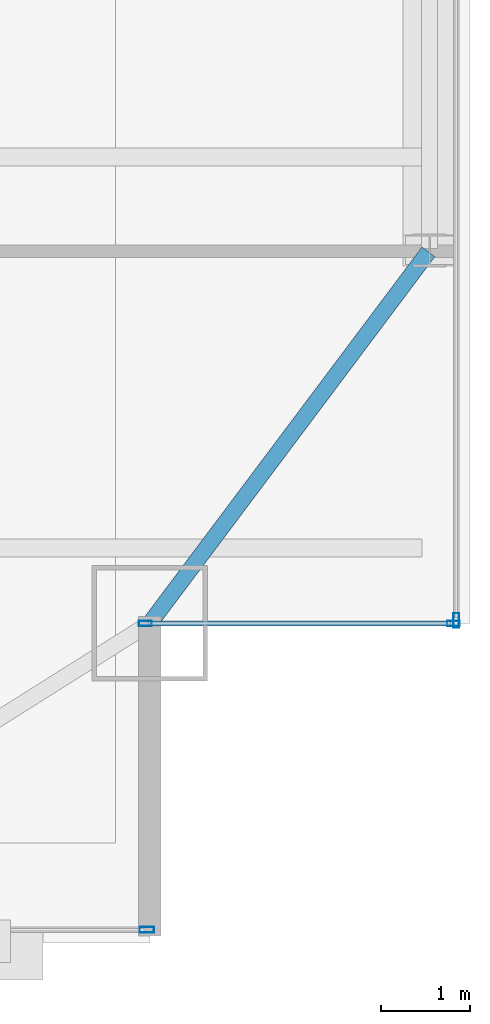
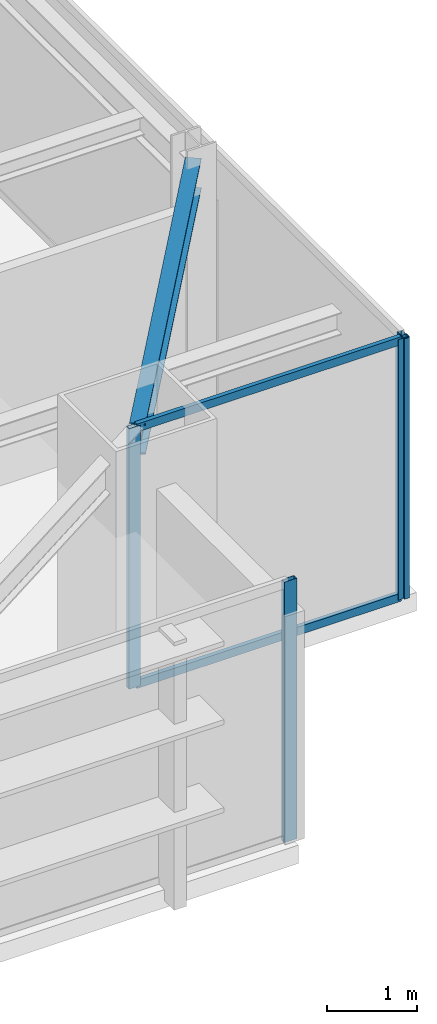
# One storey, part 15 of 30: 6 members, 1 beam, 3 elements without a shape of their own.
"""IFC4 building model written with IfcOpenShell, lengths in metres."""

from ifc_helpers import new_model, si_unit, direction, frame, origin, origin_2d, place, context, subcontext, project, spatial, hollow_rectangle, i_section, extrude, source, transform, mapped, material, layer, layer_set, material_profile, profile_set, type_object, type_shapes, element, aggregate, save


model = new_model("IFC4")

# Units and contexts
model_context = context("Model", 3, precision=1e-05, world=origin(), true_north=direction((0.0, 1.0)))
body_context = subcontext(model_context, "Body", "Model", "MODEL_VIEW")
ifc_project = project(units=[si_unit("LENGTHUNIT", "METRE"), si_unit("AREAUNIT", "SQUARE_METRE"), si_unit("VOLUMEUNIT", "CUBIC_METRE"), si_unit("PLANEANGLEUNIT", "RADIAN"), si_unit("MASSUNIT", "GRAM", prefix="KILO")], contexts=[model_context])

# Site, building, storey
site_placement = place(None, origin())
site = spatial("IfcSite", under=ifc_project, at=site_placement, CompositionType="ELEMENT")
building_placement = place(site_placement, origin())
building = spatial("IfcBuilding", under=site, at=building_placement, Name="Varnel Quay Broadcast Tower", CompositionType="ELEMENT")
storey_placement = place(building_placement, frame((0.0, 0.0, 180.0)))
storey = spatial("IfcBuildingStorey", under=building, at=storey_placement, Name="L44", CompositionType="ELEMENT", Elevation=180.0)

# Beam
ifc_material_1 = material(Name="Structural Steel CSA G40.21 350W", Category="steel")
ifc_material_profile_1 = material_profile(ifc_material_1, i_section(OverallWidth=0.180908203125, OverallDepth=0.4169921875, WebThickness=0.010986328125, FlangeThickness=0.018310546875, FilletRadius=0.011962890625, at=origin_2d()), Name="W410X85")
ifc_profile_set_1 = profile_set([ifc_material_profile_1], Name="Structural Steel CSA G40.21 350W")
beam_type = type_object("IfcBeamType", Name="Beam_W410X85", PredefinedType="SPANDREL", material=ifc_profile_set_1)
shared_shape_1 = source(origin(), body_context, "Body", "SweptSolid", [
    extrude(i_section(OverallWidth=0.180908203125, OverallDepth=0.4169921875, WebThickness=0.010986328125, FlangeThickness=0.018310546875, FilletRadius=0.011962890625, at=origin_2d()), origin(), (0.0, 0.0, 1.0), 5.2099609375),
])
type_shapes(beam_type, [shared_shape_1])
beam_placement = place(storey_placement, frame((57.412109375, 10.81591796875, 3.341552734375), z_axis=(0.6, 0.8, 0.0), x_axis=(-0.8, 0.6, 0.0)))
element("IfcBeam", 1, at=beam_placement, inside=storey, type_object=beam_type, Name="L44 East Spandrel MC-SE-TC-E1", PredefinedType="SPANDREL", context=body_context, shape_type="MappedRepresentation", body=[
    mapped(shared_shape_1, transform((0.0, 0.0, 0.0), x_axis=(1.0, 0.0, 0.0), y_axis=(0.0, 1.0, 0.0), z_axis=(0.0, 0.0, 1.0), scale=1.0)),
])

# Curtain wall, members
ifc_material_2 = material(Name="Anodised Bronze Aluminium 6063-T6", Category="aluminium")
ifc_layer_1 = layer(ifc_material_2, 0.18994140625, Name="Anodised Bronze Aluminium 6063-T6")
ifc_layer_set_1 = layer_set([ifc_layer_1], Name="Anodised Bronze Aluminium 6063-T6")
curtain_wall_type_1 = type_object("IfcCurtainWallType", Name="CW_NotchCorner", PredefinedType="NOTDEFINED", material=ifc_layer_set_1)
curtain_wall_1_placement = place(storey_placement, origin())
curtain_wall_1 = element("IfcCurtainWall", 2, at=curtain_wall_1_placement, inside=storey, type_object=curtain_wall_type_1, Name="L44 SE Notch Curtain Wall", PredefinedType="NOTDEFINED")
ifc_material_profile_2 = material_profile(ifc_material_2, hollow_rectangle(XDim=0.054931640625, YDim=0.110107421875, WallThickness=0.0029296875, at=origin_2d()), Name="ALU55X110X3")
ifc_profile_set_2 = profile_set([ifc_material_profile_2], Name="Anodised Bronze Aluminium 6063-T6")
member_type_1 = type_object("IfcMemberType", Name="Tran_CWS-04", PredefinedType="USERDEFINED", material=ifc_profile_set_2)
shared_shape_2 = source(origin(), body_context, "Body", "SweptSolid", [
    extrude(hollow_rectangle(XDim=0.054931640625, YDim=0.110107421875, WallThickness=0.0029296875, at=origin_2d()), origin(), (0.0, 0.0, 1.0), 3.41015625),
])
type_shapes(member_type_1, [shared_shape_2])
member_1_placement = place(storey_placement, frame((57.3798828125, 10.800048828125, 0.027587890625), z_axis=(1.0, 0.0, 0.0), x_axis=(0.0, 1.0, 0.0)))
member_1 = element("IfcMember", 3, at=member_1_placement, type_object=member_type_1, Name="CWS-04 transom 1.1", ObjectType="TRANSOM", PredefinedType="USERDEFINED", context=body_context, shape_type="MappedRepresentation", body=[
    mapped(shared_shape_2, transform((0.0, 0.0, 0.0), x_axis=(1.0, 0.0, 0.0), y_axis=(0.0, 1.0, 0.0), z_axis=(0.0, 0.0, 1.0), scale=1.0)),
])
member_2_placement = place(storey_placement, frame((57.3798828125, 10.800048828125, 3.5224609375), z_axis=(1.0, 0.0, 0.0), x_axis=(0.0, 1.0, 0.0)))
member_2 = element("IfcMember", 4, at=member_2_placement, type_object=member_type_1, Name="CWS-04 transom 1.2", ObjectType="TRANSOM", PredefinedType="USERDEFINED", context=body_context, shape_type="MappedRepresentation", body=[
    mapped(shared_shape_2, transform((0.0, 0.0, 0.0), x_axis=(1.0, 0.0, 0.0), y_axis=(0.0, 1.0, 0.0), z_axis=(0.0, 0.0, 1.0), scale=1.0)),
])
ifc_material_profile_3 = material_profile(ifc_material_2, hollow_rectangle(XDim=0.06005859375, YDim=0.14501953125, WallThickness=0.00341796875, at=origin_2d()), Name="ALU60X145X3.5")
ifc_profile_set_3 = profile_set([ifc_material_profile_3], Name="Anodised Bronze Aluminium 6063-T6")
member_type_2 = type_object("IfcMemberType", Name="Mull_CWS-04", PredefinedType="MULLION", material=ifc_profile_set_3)
shared_shape_3 = source(origin(), body_context, "Body", "SweptSolid", [
    extrude(hollow_rectangle(XDim=0.06005859375, YDim=0.14501953125, WallThickness=0.00341796875, at=origin_2d()), origin(), (0.0, 0.0, 1.0), 3.550048828125),
])
type_shapes(member_type_2, [shared_shape_3])
member_3_placement = place(storey_placement, frame((57.35009765625, 10.800048828125, 0.0), z_axis=(0.0, 0.0, 1.0), x_axis=(0.0, 1.0, 0.0)))
member_3 = element("IfcMember", 5, at=member_3_placement, type_object=member_type_2, Name="CWS-04 mullion 1", PredefinedType="MULLION", context=body_context, shape_type="MappedRepresentation", body=[
    mapped(shared_shape_3, transform((0.0, 0.0, 0.0), x_axis=(1.0, 0.0, 0.0), y_axis=(0.0, 1.0, 0.0), z_axis=(0.0, 0.0, 1.0), scale=1.0)),
])
member_4_placement = place(storey_placement, frame((60.820068359375, 10.800048828125, 0.0), z_axis=(0.0, 0.0, 1.0), x_axis=(0.0, 1.0, 0.0)))
member_4 = element("IfcMember", 6, at=member_4_placement, type_object=member_type_2, Name="CWS-04 mullion 2", PredefinedType="MULLION", context=body_context, shape_type="MappedRepresentation", body=[
    mapped(shared_shape_3, transform((0.0, 0.0, 0.0), x_axis=(1.0, 0.0, 0.0), y_axis=(0.0, 1.0, 0.0), z_axis=(0.0, 0.0, 1.0), scale=1.0)),
])
aggregate(curtain_wall_1, [member_3, member_4, member_1, member_2])

# Curtain wall, member
ifc_layer_2 = layer(ifc_material_2, 0.18994140625, Name="Anodised Bronze Aluminium 6063-T6")
ifc_layer_set_2 = layer_set([ifc_layer_2], Name="Anodised Bronze Aluminium 6063-T6")
curtain_wall_type_2 = type_object("IfcCurtainWallType", Name="CW_UpperTower", PredefinedType="NOTDEFINED", material=ifc_layer_set_2)
curtain_wall_2_placement = place(storey_placement, origin())
curtain_wall_2 = element("IfcCurtainWall", 7, at=curtain_wall_2_placement, inside=storey, type_object=curtain_wall_type_2, Name="L44 South Unitised Curtain Wall 1", PredefinedType="NOTDEFINED")
ifc_material_profile_4 = material_profile(ifc_material_2, hollow_rectangle(XDim=0.06494140625, YDim=0.1650390625, WallThickness=0.00341796875, at=origin_2d()), Name="ALU65X165X3.5")
ifc_profile_set_4 = profile_set([ifc_material_profile_4], Name="Anodised Bronze Aluminium 6063-T6")
member_type_3 = type_object("IfcMemberType", Name="Mull_CWS-03", PredefinedType="MULLION", material=ifc_profile_set_4)
shared_shape_4 = source(origin(), body_context, "Body", "SweptSolid", [
    extrude(hollow_rectangle(XDim=0.06494140625, YDim=0.1650390625, WallThickness=0.00341796875, at=origin_2d()), origin(), (0.0, 0.0, 1.0), 3.550048828125),
])
type_shapes(member_type_3, [shared_shape_4])
member_5_placement = place(storey_placement, frame((57.367431640625, 7.35009765625, 0.0), z_axis=(0.0, 0.0, 1.0), x_axis=(0.0, 1.0, 0.0)))
member_5 = element("IfcMember", 8, at=member_5_placement, type_object=member_type_3, Name="CWS-03 mullion 5", PredefinedType="MULLION", context=body_context, shape_type="MappedRepresentation", body=[
    mapped(shared_shape_4, transform((0.0, 0.0, 0.0), x_axis=(1.0, 0.0, 0.0), y_axis=(0.0, 1.0, 0.0), z_axis=(0.0, 0.0, 1.0), scale=1.0)),
])
aggregate(curtain_wall_2, [member_5])

curtain_wall_3_placement = place(storey_placement, origin())
curtain_wall_3 = element("IfcCurtainWall", 9, at=curtain_wall_3_placement, inside=storey, type_object=curtain_wall_type_2, Name="L44 East Unitised Curtain Wall", PredefinedType="NOTDEFINED")
member_6_placement = place(storey_placement, frame((60.85009765625, 10.83251953125, 0.0), z_axis=(0.0, 0.0, 1.0), x_axis=(-1.0, 0.0, 0.0)))
member_6 = element("IfcMember", 10, at=member_6_placement, type_object=member_type_3, Name="CWS-03 mullion 1", PredefinedType="MULLION", context=body_context, shape_type="MappedRepresentation", body=[
    mapped(shared_shape_4, transform((0.0, 0.0, 0.0), x_axis=(1.0, 0.0, 0.0), y_axis=(0.0, 1.0, 0.0), z_axis=(0.0, 0.0, 1.0), scale=1.0)),
])
aggregate(curtain_wall_3, [member_6])

save(model, "model.ifc")
